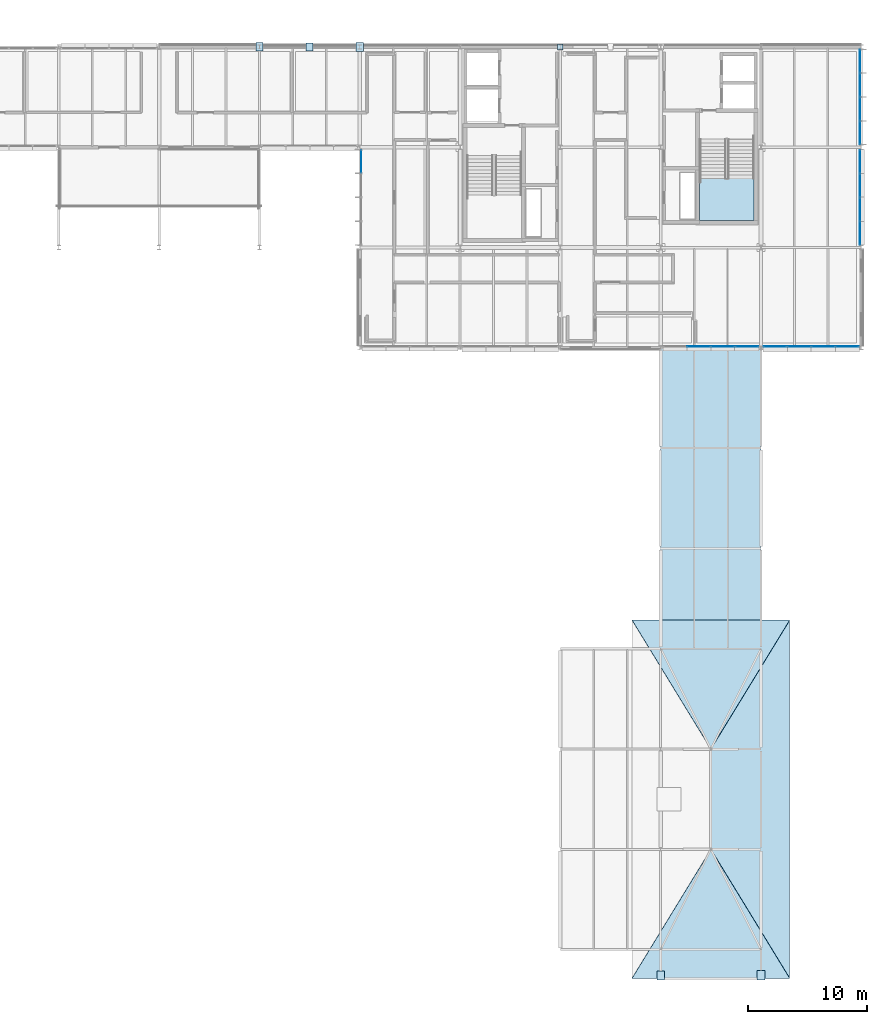
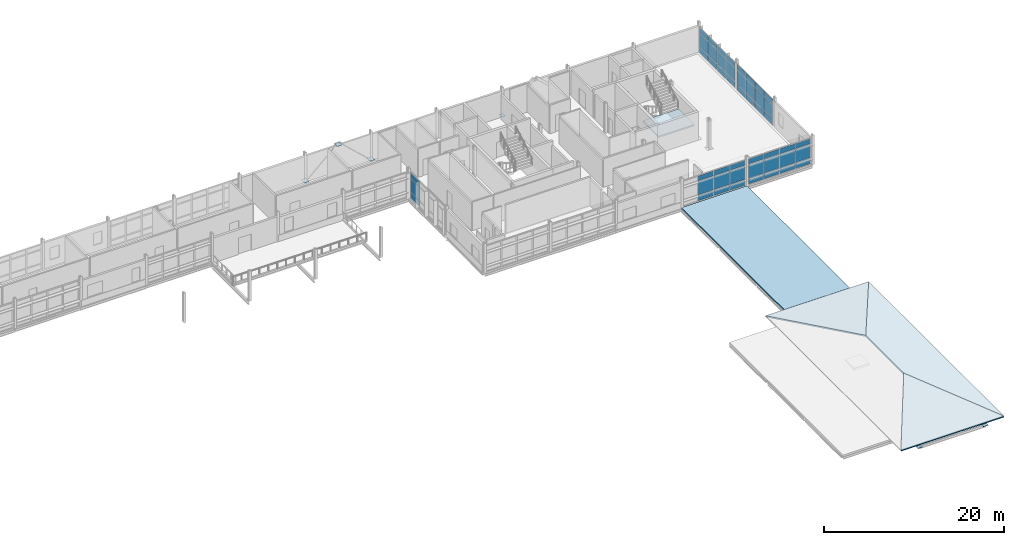
# One storey, part 44 of 57: 54 plates, 5 slabs, 7 elements without a shape of their own.
"""IFC4 building model written with IfcOpenShell, lengths in metres."""

from ifc_helpers import new_model, si_unit, direction, frame, origin, origin_2d, place, context, subcontext, project, spatial, polyline, rectangle, outline, extrude, material, layer, layer_set, type_object, element, aggregate, save


model = new_model("IFC4")

# Units and contexts
model_context = context("Model", 3, precision=1e-05, world=origin(), true_north=direction((0.0, 1.0)))
body_context = subcontext(model_context, "Body", "Model", "MODEL_VIEW")
ifc_project = project(units=[si_unit("LENGTHUNIT", "METRE"), si_unit("AREAUNIT", "SQUARE_METRE"), si_unit("VOLUMEUNIT", "CUBIC_METRE"), si_unit("PLANEANGLEUNIT", "RADIAN"), si_unit("MASSUNIT", "GRAM", prefix="KILO")], contexts=[model_context])

# Site, building, storey
site_placement = place(None, origin())
site = spatial("IfcSite", under=ifc_project, at=site_placement, CompositionType="ELEMENT")
building_placement = place(site_placement, origin())
building = spatial("IfcBuilding", under=site, at=building_placement, Name="Mersafa Astral City Hall", CompositionType="ELEMENT")
storey_placement = place(building_placement, frame((0.0, 0.0, 26.10009765625)))
storey = spatial("IfcBuildingStorey", under=building, at=storey_placement, Name="L06", CompositionType="ELEMENT", Elevation=26.10009765625)

# Curtain wall, plates
ifc_material_1 = material(Name="Anodised bronze aluminium framing", Category="aluminium")
curtain_wall_type_1 = type_object("IfcCurtainWallType", Name="ENV-CW-5", PredefinedType="USERDEFINED", material=ifc_material_1)
curtain_wall_1_placement = place(storey_placement, origin())
curtain_wall_1 = element("IfcCurtainWall", 1, at=curtain_wall_1_placement, inside=storey, type_object=curtain_wall_type_1, Name="L06 Unitised solar curtain wall 256", ObjectType="UNITISED CURTAIN WALL", PredefinedType="USERDEFINED")
ifc_material_2 = material(Name="Solar control low-e double glazing", Category="glass")
ifc_layer_1 = layer(ifc_material_2, 0.028076171875, Name="Solar control low-e double glazing")
ifc_layer_set_1 = layer_set([ifc_layer_1], Name="Solar control low-e double glazing — ENV-CW-PNL-GLZ-1")
plate_type_1 = type_object("IfcPlateType", Name="ENV-CW-PNL-GLZ-1", PredefinedType="CURTAIN_PANEL", material=ifc_layer_set_1)
plate_1_placement = place(storey_placement, frame((184.679931640625, 118.810302734375, 0.05810546875), z_axis=(0.0, 0.0, 1.0), x_axis=(0.0, 1.0, 0.0)))
plate_1 = element("IfcPlate", 2, at=plate_1_placement, type_object=plate_type_1, Name="CW-5 panel 1.1", PredefinedType="CURTAIN_PANEL", context=body_context, shape_type="SweptSolid", body=[
    extrude(rectangle(XDim=1.91650390625, YDim=0.028076171875, at=origin_2d()), origin(), (0.0, 0.0, 1.0), 0.761962890625),
])
plate_2_placement = place(storey_placement, frame((184.679931640625, 118.810302734375, 0.8798828125), z_axis=(0.0, 0.0, 1.0), x_axis=(0.0, 1.0, 0.0)))
plate_2 = element("IfcPlate", 3, at=plate_2_placement, type_object=plate_type_1, Name="CW-5 panel 1.2", PredefinedType="CURTAIN_PANEL", context=body_context, shape_type="SweptSolid", body=[
    extrude(rectangle(XDim=1.91650390625, YDim=0.028076171875, at=origin_2d()), origin(), (0.0, 0.0, 1.0), 1.840087890625),
])
plate_3_placement = place(storey_placement, frame((184.679931640625, 118.810302734375, 2.77978515625), z_axis=(0.0, 0.0, 1.0), x_axis=(0.0, 1.0, 0.0)))
plate_3 = element("IfcPlate", 4, at=plate_3_placement, type_object=plate_type_1, Name="CW-5 panel 1.3", PredefinedType="CURTAIN_PANEL", context=body_context, shape_type="SweptSolid", body=[
    extrude(rectangle(XDim=1.91650390625, YDim=0.028076171875, at=origin_2d()), origin(), (0.0, 0.0, 1.0), 0.672119140625),
])
plate_4_placement = place(storey_placement, frame((184.679931640625, 120.8017578125, 0.05810546875), z_axis=(0.0, 0.0, 1.0), x_axis=(0.0, 1.0, 0.0)))
plate_4 = element("IfcPlate", 5, at=plate_4_placement, type_object=plate_type_1, Name="CW-5 panel 2.1", PredefinedType="CURTAIN_PANEL", context=body_context, shape_type="SweptSolid", body=[
    extrude(rectangle(XDim=1.946533203125, YDim=0.028076171875, at=origin_2d()), origin(), (0.0, 0.0, 1.0), 0.761962890625),
])
plate_5_placement = place(storey_placement, frame((184.679931640625, 120.8017578125, 0.8798828125), z_axis=(0.0, 0.0, 1.0), x_axis=(0.0, 1.0, 0.0)))
plate_5 = element("IfcPlate", 6, at=plate_5_placement, type_object=plate_type_1, Name="CW-5 panel 2.2", PredefinedType="CURTAIN_PANEL", context=body_context, shape_type="SweptSolid", body=[
    extrude(rectangle(XDim=1.946533203125, YDim=0.028076171875, at=origin_2d()), origin(), (0.0, 0.0, 1.0), 1.840087890625),
])
plate_6_placement = place(storey_placement, frame((184.679931640625, 120.8017578125, 2.77978515625), z_axis=(0.0, 0.0, 1.0), x_axis=(0.0, 1.0, 0.0)))
plate_6 = element("IfcPlate", 7, at=plate_6_placement, type_object=plate_type_1, Name="CW-5 panel 2.3", PredefinedType="CURTAIN_PANEL", context=body_context, shape_type="SweptSolid", body=[
    extrude(rectangle(XDim=1.946533203125, YDim=0.028076171875, at=origin_2d()), origin(), (0.0, 0.0, 1.0), 0.672119140625),
])
plate_7_placement = place(storey_placement, frame((184.679931640625, 122.808349609375, 0.05810546875), z_axis=(0.0, 0.0, 1.0), x_axis=(0.0, 1.0, 0.0)))
plate_7 = element("IfcPlate", 8, at=plate_7_placement, type_object=plate_type_1, Name="CW-5 panel 3.1", PredefinedType="CURTAIN_PANEL", context=body_context, shape_type="SweptSolid", body=[
    extrude(rectangle(XDim=1.946533203125, YDim=0.028076171875, at=origin_2d()), origin(), (0.0, 0.0, 1.0), 0.761962890625),
])
plate_8_placement = place(storey_placement, frame((184.679931640625, 122.808349609375, 0.8798828125), z_axis=(0.0, 0.0, 1.0), x_axis=(0.0, 1.0, 0.0)))
plate_8 = element("IfcPlate", 9, at=plate_8_placement, type_object=plate_type_1, Name="CW-5 panel 3.2", PredefinedType="CURTAIN_PANEL", context=body_context, shape_type="SweptSolid", body=[
    extrude(rectangle(XDim=1.946533203125, YDim=0.028076171875, at=origin_2d()), origin(), (0.0, 0.0, 1.0), 1.840087890625),
])
plate_9_placement = place(storey_placement, frame((184.679931640625, 122.808349609375, 2.77978515625), z_axis=(0.0, 0.0, 1.0), x_axis=(0.0, 1.0, 0.0)))
plate_9 = element("IfcPlate", 10, at=plate_9_placement, type_object=plate_type_1, Name="CW-5 panel 3.3", PredefinedType="CURTAIN_PANEL", context=body_context, shape_type="SweptSolid", body=[
    extrude(rectangle(XDim=1.946533203125, YDim=0.028076171875, at=origin_2d()), origin(), (0.0, 0.0, 1.0), 0.672119140625),
])
plate_10_placement = place(storey_placement, frame((184.679931640625, 124.7998046875, 0.05810546875), z_axis=(0.0, 0.0, 1.0), x_axis=(0.0, 1.0, 0.0)))
plate_10 = element("IfcPlate", 11, at=plate_10_placement, type_object=plate_type_1, Name="CW-5 panel 4.1", PredefinedType="CURTAIN_PANEL", context=body_context, shape_type="SweptSolid", body=[
    extrude(rectangle(XDim=1.91650390625, YDim=0.028076171875, at=origin_2d()), origin(), (0.0, 0.0, 1.0), 0.761962890625),
])
plate_11_placement = place(storey_placement, frame((184.679931640625, 124.7998046875, 0.8798828125), z_axis=(0.0, 0.0, 1.0), x_axis=(0.0, 1.0, 0.0)))
plate_11 = element("IfcPlate", 12, at=plate_11_placement, type_object=plate_type_1, Name="CW-5 panel 4.2", PredefinedType="CURTAIN_PANEL", context=body_context, shape_type="SweptSolid", body=[
    extrude(rectangle(XDim=1.91650390625, YDim=0.028076171875, at=origin_2d()), origin(), (0.0, 0.0, 1.0), 1.840087890625),
])
plate_12_placement = place(storey_placement, frame((184.679931640625, 124.7998046875, 2.77978515625), z_axis=(0.0, 0.0, 1.0), x_axis=(0.0, 1.0, 0.0)))
plate_12 = element("IfcPlate", 13, at=plate_12_placement, type_object=plate_type_1, Name="CW-5 panel 4.3", PredefinedType="CURTAIN_PANEL", context=body_context, shape_type="SweptSolid", body=[
    extrude(rectangle(XDim=1.91650390625, YDim=0.028076171875, at=origin_2d()), origin(), (0.0, 0.0, 1.0), 0.672119140625),
])
aggregate(curtain_wall_1, [plate_1, plate_2, plate_3, plate_4, plate_5, plate_6, plate_7, plate_8, plate_9, plate_10, plate_11, plate_12])

curtain_wall_type_2 = type_object("IfcCurtainWallType", Name="ENV-CW-2", PredefinedType="USERDEFINED", material=ifc_material_1)
curtain_wall_2_placement = place(storey_placement, origin())
curtain_wall_2 = element("IfcCurtainWall", 14, at=curtain_wall_2_placement, inside=storey, type_object=curtain_wall_type_2, Name="L06 Unitised solar curtain wall 253", ObjectType="UNITISED CURTAIN WALL", PredefinedType="USERDEFINED")
ifc_layer_2 = layer(ifc_material_2, 0.031982421875, Name="Solar control low-e double glazing")
ifc_layer_set_2 = layer_set([ifc_layer_2], Name="Solar control low-e double glazing — ENV-CW-PNL-GLZ-2")
plate_type_2 = type_object("IfcPlateType", Name="ENV-CW-PNL-GLZ-2", PredefinedType="CURTAIN_PANEL", material=ifc_layer_set_2)
plate_13_placement = place(storey_placement, frame((171.1904296875, 100.919921875, 0.05810546875), z_axis=(0.0, 0.0, 1.0), x_axis=(1.0, 0.0, 0.0)))
plate_13 = element("IfcPlate", 15, at=plate_13_placement, type_object=plate_type_2, Name="CW-2 panel 2.1", PredefinedType="CURTAIN_PANEL", context=body_context, shape_type="SweptSolid", body=[
    extrude(rectangle(XDim=1.958984375, YDim=0.031982421875, at=origin_2d()), origin(), (0.0, 0.0, 1.0), 0.761962890625),
])
plate_14_placement = place(storey_placement, frame((171.1904296875, 100.919921875, 0.8798828125), z_axis=(0.0, 0.0, 1.0), x_axis=(1.0, 0.0, 0.0)))
plate_14 = element("IfcPlate", 16, at=plate_14_placement, type_object=plate_type_2, Name="CW-2 panel 2.2", PredefinedType="CURTAIN_PANEL", context=body_context, shape_type="SweptSolid", body=[
    extrude(rectangle(XDim=1.958984375, YDim=0.031982421875, at=origin_2d()), origin(), (0.0, 0.0, 1.0), 1.840087890625),
])
plate_15_placement = place(storey_placement, frame((171.1904296875, 100.919921875, 2.780029296875), z_axis=(0.0, 0.0, 1.0), x_axis=(1.0, 0.0, 0.0)))
plate_15 = element("IfcPlate", 17, at=plate_15_placement, type_object=plate_type_2, Name="CW-2 panel 2.3", PredefinedType="CURTAIN_PANEL", context=body_context, shape_type="SweptSolid", body=[
    extrude(rectangle(XDim=1.958984375, YDim=0.031982421875, at=origin_2d()), origin(), (0.0, 0.0, 1.0), 0.64697265625),
])
plate_16_placement = place(storey_placement, frame((173.20947265625, 100.919921875, 0.05810546875), z_axis=(0.0, 0.0, 1.0), x_axis=(1.0, 0.0, 0.0)))
plate_16 = element("IfcPlate", 18, at=plate_16_placement, type_object=plate_type_2, Name="CW-2 panel 3.1", PredefinedType="CURTAIN_PANEL", context=body_context, shape_type="SweptSolid", body=[
    extrude(rectangle(XDim=1.958984375, YDim=0.031982421875, at=origin_2d()), origin(), (0.0, 0.0, 1.0), 0.761962890625),
])
plate_17_placement = place(storey_placement, frame((173.20947265625, 100.919921875, 0.8798828125), z_axis=(0.0, 0.0, 1.0), x_axis=(1.0, 0.0, 0.0)))
plate_17 = element("IfcPlate", 19, at=plate_17_placement, type_object=plate_type_2, Name="CW-2 panel 3.2", PredefinedType="CURTAIN_PANEL", context=body_context, shape_type="SweptSolid", body=[
    extrude(rectangle(XDim=1.958984375, YDim=0.031982421875, at=origin_2d()), origin(), (0.0, 0.0, 1.0), 1.840087890625),
])
plate_18_placement = place(storey_placement, frame((173.20947265625, 100.919921875, 2.780029296875), z_axis=(0.0, 0.0, 1.0), x_axis=(1.0, 0.0, 0.0)))
plate_18 = element("IfcPlate", 20, at=plate_18_placement, type_object=plate_type_2, Name="CW-2 panel 3.3", PredefinedType="CURTAIN_PANEL", context=body_context, shape_type="SweptSolid", body=[
    extrude(rectangle(XDim=1.958984375, YDim=0.031982421875, at=origin_2d()), origin(), (0.0, 0.0, 1.0), 0.64697265625),
])
plate_19_placement = place(storey_placement, frame((175.21337890625, 100.919921875, 0.05810546875), z_axis=(0.0, 0.0, 1.0), x_axis=(1.0, 0.0, 0.0)))
plate_19 = element("IfcPlate", 21, at=plate_19_placement, type_object=plate_type_2, Name="CW-2 panel 4.1", PredefinedType="CURTAIN_PANEL", context=body_context, shape_type="SweptSolid", body=[
    extrude(rectangle(XDim=1.928955078125, YDim=0.031982421875, at=origin_2d()), origin(), (0.0, 0.0, 1.0), 0.761962890625),
])
plate_20_placement = place(storey_placement, frame((175.21337890625, 100.919921875, 0.8798828125), z_axis=(0.0, 0.0, 1.0), x_axis=(1.0, 0.0, 0.0)))
plate_20 = element("IfcPlate", 22, at=plate_20_placement, type_object=plate_type_2, Name="CW-2 panel 4.2", PredefinedType="CURTAIN_PANEL", context=body_context, shape_type="SweptSolid", body=[
    extrude(rectangle(XDim=1.928955078125, YDim=0.031982421875, at=origin_2d()), origin(), (0.0, 0.0, 1.0), 1.840087890625),
])
plate_21_placement = place(storey_placement, frame((175.21337890625, 100.919921875, 2.780029296875), z_axis=(0.0, 0.0, 1.0), x_axis=(1.0, 0.0, 0.0)))
plate_21 = element("IfcPlate", 23, at=plate_21_placement, type_object=plate_type_2, Name="CW-2 panel 4.3", PredefinedType="CURTAIN_PANEL", context=body_context, shape_type="SweptSolid", body=[
    extrude(rectangle(XDim=1.928955078125, YDim=0.031982421875, at=origin_2d()), origin(), (0.0, 0.0, 1.0), 0.64697265625),
])
aggregate(curtain_wall_2, [plate_13, plate_14, plate_15, plate_16, plate_17, plate_18, plate_19, plate_20, plate_21])

curtain_wall_3_placement = place(storey_placement, origin())
curtain_wall_3 = element("IfcCurtainWall", 24, at=curtain_wall_3_placement, inside=storey, type_object=curtain_wall_type_1, Name="L06 Unitised solar curtain wall 250", ObjectType="UNITISED CURTAIN WALL", PredefinedType="USERDEFINED")
ifc_layer_3 = layer(ifc_material_2, 0.035888671875, Name="Solar control low-e double glazing")
ifc_layer_set_3 = layer_set([ifc_layer_3], Name="Solar control low-e double glazing — ENV-CW-PNL-GLZ-3")
plate_type_3 = type_object("IfcPlateType", Name="ENV-CW-PNL-GLZ-3", PredefinedType="CURTAIN_PANEL", material=ifc_layer_set_3)
plate_22_placement = place(storey_placement, frame((142.919921875, 116.399658203125, 0.05810546875), z_axis=(0.0, 0.0, 1.0), x_axis=(0.0, -1.0, 0.0)))
plate_22 = element("IfcPlate", 25, at=plate_22_placement, type_object=plate_type_3, Name="CW-5 panel 1.1", PredefinedType="CURTAIN_PANEL", context=body_context, shape_type="SweptSolid", body=[
    extrude(rectangle(XDim=1.91650390625, YDim=0.035888671875, at=origin_2d()), origin(), (0.0, 0.0, 1.0), 0.761962890625),
])
plate_23_placement = place(storey_placement, frame((142.919921875, 116.399658203125, 0.8798828125), z_axis=(0.0, 0.0, 1.0), x_axis=(0.0, -1.0, 0.0)))
plate_23 = element("IfcPlate", 26, at=plate_23_placement, type_object=plate_type_3, Name="CW-5 panel 1.2", PredefinedType="CURTAIN_PANEL", context=body_context, shape_type="SweptSolid", body=[
    extrude(rectangle(XDim=1.91650390625, YDim=0.035888671875, at=origin_2d()), origin(), (0.0, 0.0, 1.0), 1.840087890625),
])
plate_24_placement = place(storey_placement, frame((142.919921875, 116.399658203125, 2.77978515625), z_axis=(0.0, 0.0, 1.0), x_axis=(0.0, -1.0, 0.0)))
plate_24 = element("IfcPlate", 27, at=plate_24_placement, type_object=plate_type_3, Name="CW-5 panel 1.3", PredefinedType="CURTAIN_PANEL", context=body_context, shape_type="SweptSolid", body=[
    extrude(rectangle(XDim=1.91650390625, YDim=0.035888671875, at=origin_2d()), origin(), (0.0, 0.0, 1.0), 0.681884765625),
])
aggregate(curtain_wall_3, [plate_22, plate_23, plate_24])

curtain_wall_type_3 = type_object("IfcCurtainWallType", Name="ENV-CW-3", PredefinedType="USERDEFINED", material=ifc_material_1)
curtain_wall_4_placement = place(storey_placement, origin())
curtain_wall_4 = element("IfcCurtainWall", 28, at=curtain_wall_4_placement, inside=storey, type_object=curtain_wall_type_3, Name="L06 Unitised solar curtain wall 254", ObjectType="UNITISED CURTAIN WALL", PredefinedType="USERDEFINED")
plate_25_placement = place(storey_placement, frame((177.58642578125, 100.919921875, 0.05810546875), z_axis=(0.0, 0.0, 1.0), x_axis=(1.0, 0.0, 0.0)))
plate_25 = element("IfcPlate", 29, at=plate_25_placement, type_object=plate_type_3, Name="CW-3 panel 1.1", PredefinedType="CURTAIN_PANEL", context=body_context, shape_type="SweptSolid", body=[
    extrude(rectangle(XDim=1.928955078125, YDim=0.035888671875, at=origin_2d()), origin(), (0.0, 0.0, 1.0), 0.761962890625),
])
plate_26_placement = place(storey_placement, frame((177.58642578125, 100.919921875, 0.8798828125), z_axis=(0.0, 0.0, 1.0), x_axis=(1.0, 0.0, 0.0)))
plate_26 = element("IfcPlate", 30, at=plate_26_placement, type_object=plate_type_3, Name="CW-3 panel 1.2", PredefinedType="CURTAIN_PANEL", context=body_context, shape_type="SweptSolid", body=[
    extrude(rectangle(XDim=1.928955078125, YDim=0.035888671875, at=origin_2d()), origin(), (0.0, 0.0, 1.0), 1.840087890625),
])
plate_27_placement = place(storey_placement, frame((177.58642578125, 100.919921875, 2.77978515625), z_axis=(0.0, 0.0, 1.0), x_axis=(1.0, 0.0, 0.0)))
plate_27 = element("IfcPlate", 31, at=plate_27_placement, type_object=plate_type_3, Name="CW-3 panel 1.3", PredefinedType="CURTAIN_PANEL", context=body_context, shape_type="SweptSolid", body=[
    extrude(rectangle(XDim=1.928955078125, YDim=0.035888671875, at=origin_2d()), origin(), (0.0, 0.0, 1.0), 0.677001953125),
])
plate_28_placement = place(storey_placement, frame((179.590576171875, 100.919921875, 0.05810546875), z_axis=(0.0, 0.0, 1.0), x_axis=(1.0, 0.0, 0.0)))
plate_28 = element("IfcPlate", 32, at=plate_28_placement, type_object=plate_type_3, Name="CW-3 panel 2.1", PredefinedType="CURTAIN_PANEL", context=body_context, shape_type="SweptSolid", body=[
    extrude(rectangle(XDim=1.958984375, YDim=0.035888671875, at=origin_2d()), origin(), (0.0, 0.0, 1.0), 0.761962890625),
])
plate_29_placement = place(storey_placement, frame((179.590576171875, 100.919921875, 0.8798828125), z_axis=(0.0, 0.0, 1.0), x_axis=(1.0, 0.0, 0.0)))
plate_29 = element("IfcPlate", 33, at=plate_29_placement, type_object=plate_type_3, Name="CW-3 panel 2.2", PredefinedType="CURTAIN_PANEL", context=body_context, shape_type="SweptSolid", body=[
    extrude(rectangle(XDim=1.958984375, YDim=0.035888671875, at=origin_2d()), origin(), (0.0, 0.0, 1.0), 1.840087890625),
])
plate_30_placement = place(storey_placement, frame((179.590576171875, 100.919921875, 2.77978515625), z_axis=(0.0, 0.0, 1.0), x_axis=(1.0, 0.0, 0.0)))
plate_30 = element("IfcPlate", 34, at=plate_30_placement, type_object=plate_type_3, Name="CW-3 panel 2.3", PredefinedType="CURTAIN_PANEL", context=body_context, shape_type="SweptSolid", body=[
    extrude(rectangle(XDim=1.958984375, YDim=0.035888671875, at=origin_2d()), origin(), (0.0, 0.0, 1.0), 0.677001953125),
])
plate_31_placement = place(storey_placement, frame((181.609619140625, 100.919921875, 0.05810546875), z_axis=(0.0, 0.0, 1.0), x_axis=(1.0, 0.0, 0.0)))
plate_31 = element("IfcPlate", 35, at=plate_31_placement, type_object=plate_type_3, Name="CW-3 panel 3.1", PredefinedType="CURTAIN_PANEL", context=body_context, shape_type="SweptSolid", body=[
    extrude(rectangle(XDim=1.958984375, YDim=0.035888671875, at=origin_2d()), origin(), (0.0, 0.0, 1.0), 0.761962890625),
])
plate_32_placement = place(storey_placement, frame((181.609619140625, 100.919921875, 0.8798828125), z_axis=(0.0, 0.0, 1.0), x_axis=(1.0, 0.0, 0.0)))
plate_32 = element("IfcPlate", 36, at=plate_32_placement, type_object=plate_type_3, Name="CW-3 panel 3.2", PredefinedType="CURTAIN_PANEL", context=body_context, shape_type="SweptSolid", body=[
    extrude(rectangle(XDim=1.958984375, YDim=0.035888671875, at=origin_2d()), origin(), (0.0, 0.0, 1.0), 1.840087890625),
])
plate_33_placement = place(storey_placement, frame((181.609619140625, 100.919921875, 2.77978515625), z_axis=(0.0, 0.0, 1.0), x_axis=(1.0, 0.0, 0.0)))
plate_33 = element("IfcPlate", 37, at=plate_33_placement, type_object=plate_type_3, Name="CW-3 panel 3.3", PredefinedType="CURTAIN_PANEL", context=body_context, shape_type="SweptSolid", body=[
    extrude(rectangle(XDim=1.958984375, YDim=0.035888671875, at=origin_2d()), origin(), (0.0, 0.0, 1.0), 0.677001953125),
])
plate_34_placement = place(storey_placement, frame((183.613525390625, 100.919921875, 0.05810546875), z_axis=(0.0, 0.0, 1.0), x_axis=(1.0, 0.0, 0.0)))
plate_34 = element("IfcPlate", 38, at=plate_34_placement, type_object=plate_type_3, Name="CW-3 panel 4.1", PredefinedType="CURTAIN_PANEL", context=body_context, shape_type="SweptSolid", body=[
    extrude(rectangle(XDim=1.928955078125, YDim=0.035888671875, at=origin_2d()), origin(), (0.0, 0.0, 1.0), 0.761962890625),
])
plate_35_placement = place(storey_placement, frame((183.613525390625, 100.919921875, 0.8798828125), z_axis=(0.0, 0.0, 1.0), x_axis=(1.0, 0.0, 0.0)))
plate_35 = element("IfcPlate", 39, at=plate_35_placement, type_object=plate_type_3, Name="CW-3 panel 4.2", PredefinedType="CURTAIN_PANEL", context=body_context, shape_type="SweptSolid", body=[
    extrude(rectangle(XDim=1.928955078125, YDim=0.035888671875, at=origin_2d()), origin(), (0.0, 0.0, 1.0), 1.840087890625),
])
plate_36_placement = place(storey_placement, frame((183.613525390625, 100.919921875, 2.77978515625), z_axis=(0.0, 0.0, 1.0), x_axis=(1.0, 0.0, 0.0)))
plate_36 = element("IfcPlate", 40, at=plate_36_placement, type_object=plate_type_3, Name="CW-3 panel 4.3", PredefinedType="CURTAIN_PANEL", context=body_context, shape_type="SweptSolid", body=[
    extrude(rectangle(XDim=1.928955078125, YDim=0.035888671875, at=origin_2d()), origin(), (0.0, 0.0, 1.0), 0.677001953125),
])
aggregate(curtain_wall_4, [plate_25, plate_26, plate_27, plate_28, plate_29, plate_30, plate_31, plate_32, plate_33, plate_34, plate_35, plate_36])

curtain_wall_type_4 = type_object("IfcCurtainWallType", Name="ENV-CW-4", PredefinedType="USERDEFINED", material=ifc_material_1)
curtain_wall_5_placement = place(storey_placement, origin())
curtain_wall_5 = element("IfcCurtainWall", 41, at=curtain_wall_5_placement, inside=storey, type_object=curtain_wall_type_4, Name="L06 Unitised solar curtain wall 255", ObjectType="UNITISED CURTAIN WALL", PredefinedType="USERDEFINED")
ifc_layer_4 = layer(ifc_material_2, 0.0400390625, Name="Solar control low-e double glazing")
ifc_layer_set_4 = layer_set([ifc_layer_4], Name="Solar control low-e double glazing — ENV-CW-PNL-GLZ-4")
plate_type_4 = type_object("IfcPlateType", Name="ENV-CW-PNL-GLZ-4", PredefinedType="CURTAIN_PANEL", material=ifc_layer_set_4)
plate_37_placement = place(storey_placement, frame((184.679931640625, 110.400146484375, 0.05810546875), z_axis=(0.0, 0.0, 1.0), x_axis=(0.0, 1.0, 0.0)))
plate_37 = element("IfcPlate", 42, at=plate_37_placement, type_object=plate_type_4, Name="CW-4 panel 1.1", PredefinedType="CURTAIN_PANEL", context=body_context, shape_type="SweptSolid", body=[
    extrude(rectangle(XDim=1.91650390625, YDim=0.0400390625, at=origin_2d()), origin(), (0.0, 0.0, 1.0), 0.761962890625),
])
plate_38_placement = place(storey_placement, frame((184.679931640625, 110.400146484375, 0.8798828125), z_axis=(0.0, 0.0, 1.0), x_axis=(0.0, 1.0, 0.0)))
plate_38 = element("IfcPlate", 43, at=plate_38_placement, type_object=plate_type_4, Name="CW-4 panel 1.2", PredefinedType="CURTAIN_PANEL", context=body_context, shape_type="SweptSolid", body=[
    extrude(rectangle(XDim=1.91650390625, YDim=0.0400390625, at=origin_2d()), origin(), (0.0, 0.0, 1.0), 1.840087890625),
])
plate_39_placement = place(storey_placement, frame((184.679931640625, 110.400146484375, 2.77978515625), z_axis=(0.0, 0.0, 1.0), x_axis=(0.0, 1.0, 0.0)))
plate_39 = element("IfcPlate", 44, at=plate_39_placement, type_object=plate_type_4, Name="CW-4 panel 1.3", PredefinedType="CURTAIN_PANEL", context=body_context, shape_type="SweptSolid", body=[
    extrude(rectangle(XDim=1.91650390625, YDim=0.0400390625, at=origin_2d()), origin(), (0.0, 0.0, 1.0), 0.761962890625),
])
plate_40_placement = place(storey_placement, frame((184.679931640625, 112.391845703125, 0.05810546875), z_axis=(0.0, 0.0, 1.0), x_axis=(0.0, 1.0, 0.0)))
plate_40 = element("IfcPlate", 45, at=plate_40_placement, type_object=plate_type_4, Name="CW-4 panel 2.1", PredefinedType="CURTAIN_PANEL", context=body_context, shape_type="SweptSolid", body=[
    extrude(rectangle(XDim=1.946533203125, YDim=0.0400390625, at=origin_2d()), origin(), (0.0, 0.0, 1.0), 0.761962890625),
])
plate_41_placement = place(storey_placement, frame((184.679931640625, 112.391845703125, 0.8798828125), z_axis=(0.0, 0.0, 1.0), x_axis=(0.0, 1.0, 0.0)))
plate_41 = element("IfcPlate", 46, at=plate_41_placement, type_object=plate_type_4, Name="CW-4 panel 2.2", PredefinedType="CURTAIN_PANEL", context=body_context, shape_type="SweptSolid", body=[
    extrude(rectangle(XDim=1.946533203125, YDim=0.0400390625, at=origin_2d()), origin(), (0.0, 0.0, 1.0), 1.840087890625),
])
plate_42_placement = place(storey_placement, frame((184.679931640625, 112.391845703125, 2.77978515625), z_axis=(0.0, 0.0, 1.0), x_axis=(0.0, 1.0, 0.0)))
plate_42 = element("IfcPlate", 47, at=plate_42_placement, type_object=plate_type_4, Name="CW-4 panel 2.3", PredefinedType="CURTAIN_PANEL", context=body_context, shape_type="SweptSolid", body=[
    extrude(rectangle(XDim=1.946533203125, YDim=0.0400390625, at=origin_2d()), origin(), (0.0, 0.0, 1.0), 0.761962890625),
])
plate_43_placement = place(storey_placement, frame((184.679931640625, 114.398193359375, 0.05810546875), z_axis=(0.0, 0.0, 1.0), x_axis=(0.0, 1.0, 0.0)))
plate_43 = element("IfcPlate", 48, at=plate_43_placement, type_object=plate_type_4, Name="CW-4 panel 3.1", PredefinedType="CURTAIN_PANEL", context=body_context, shape_type="SweptSolid", body=[
    extrude(rectangle(XDim=1.946533203125, YDim=0.0400390625, at=origin_2d()), origin(), (0.0, 0.0, 1.0), 0.761962890625),
])
plate_44_placement = place(storey_placement, frame((184.679931640625, 114.398193359375, 0.8798828125), z_axis=(0.0, 0.0, 1.0), x_axis=(0.0, 1.0, 0.0)))
plate_44 = element("IfcPlate", 49, at=plate_44_placement, type_object=plate_type_4, Name="CW-4 panel 3.2", PredefinedType="CURTAIN_PANEL", context=body_context, shape_type="SweptSolid", body=[
    extrude(rectangle(XDim=1.946533203125, YDim=0.0400390625, at=origin_2d()), origin(), (0.0, 0.0, 1.0), 1.840087890625),
])
plate_45_placement = place(storey_placement, frame((184.679931640625, 114.398193359375, 2.77978515625), z_axis=(0.0, 0.0, 1.0), x_axis=(0.0, 1.0, 0.0)))
plate_45 = element("IfcPlate", 50, at=plate_45_placement, type_object=plate_type_4, Name="CW-4 panel 3.3", PredefinedType="CURTAIN_PANEL", context=body_context, shape_type="SweptSolid", body=[
    extrude(rectangle(XDim=1.946533203125, YDim=0.0400390625, at=origin_2d()), origin(), (0.0, 0.0, 1.0), 0.761962890625),
])
plate_46_placement = place(storey_placement, frame((184.679931640625, 116.3896484375, 0.05810546875), z_axis=(0.0, 0.0, 1.0), x_axis=(0.0, 1.0, 0.0)))
plate_46 = element("IfcPlate", 51, at=plate_46_placement, type_object=plate_type_4, Name="CW-4 panel 4.1", PredefinedType="CURTAIN_PANEL", context=body_context, shape_type="SweptSolid", body=[
    extrude(rectangle(XDim=1.91650390625, YDim=0.0400390625, at=origin_2d()), origin(), (0.0, 0.0, 1.0), 0.761962890625),
])
plate_47_placement = place(storey_placement, frame((184.679931640625, 116.3896484375, 0.8798828125), z_axis=(0.0, 0.0, 1.0), x_axis=(0.0, 1.0, 0.0)))
plate_47 = element("IfcPlate", 52, at=plate_47_placement, type_object=plate_type_4, Name="CW-4 panel 4.2", PredefinedType="CURTAIN_PANEL", context=body_context, shape_type="SweptSolid", body=[
    extrude(rectangle(XDim=1.91650390625, YDim=0.0400390625, at=origin_2d()), origin(), (0.0, 0.0, 1.0), 1.840087890625),
])
plate_48_placement = place(storey_placement, frame((184.679931640625, 116.3896484375, 2.77978515625), z_axis=(0.0, 0.0, 1.0), x_axis=(0.0, 1.0, 0.0)))
plate_48 = element("IfcPlate", 53, at=plate_48_placement, type_object=plate_type_4, Name="CW-4 panel 4.3", PredefinedType="CURTAIN_PANEL", context=body_context, shape_type="SweptSolid", body=[
    extrude(rectangle(XDim=1.91650390625, YDim=0.0400390625, at=origin_2d()), origin(), (0.0, 0.0, 1.0), 0.761962890625),
])
aggregate(curtain_wall_5, [plate_37, plate_38, plate_39, plate_40, plate_41, plate_42, plate_43, plate_44, plate_45, plate_46, plate_47, plate_48])

# Stair, slab
ifc_material_3 = material(Name="Concrete C40/50", Category="concrete")
stair_type = type_object("IfcStairType", Name="STAIR", PredefinedType="HALF_TURN_STAIR", material=ifc_material_3)
stair_placement = place(storey_placement, origin())
stair = element("IfcStair", 54, at=stair_placement, inside=storey, type_object=stair_type, Name="L06 Protected Exit Stair ST2", PredefinedType="HALF_TURN_STAIR")
ifc_layer_5 = layer(ifc_material_3, 0.199951171875, Name="Concrete C40/50")
ifc_layer_set_5 = layer_set([ifc_layer_5], Name="Concrete C40/50 — STAIR-LANDING")
slab_type_1 = type_object("IfcSlabType", Name="STAIR-LANDING", PredefinedType="LANDING", material=ifc_layer_set_5)
slab_1_placement = place(storey_placement, frame((0.0, 0.0, 1.824951171875)))
slab_1 = element("IfcSlab", 55, at=slab_1_placement, type_object=slab_type_1, Name="ST2 landing 1", PredefinedType="LANDING", context=body_context, shape_type="SweptSolid", body=[
    extrude(outline(polyline([(171.260009765625, 114.9599609375), (171.260009765625, 111.449951171875), (175.820068359375, 111.449951171875), (175.820068359375, 114.9599609375), (171.260009765625, 114.9599609375)])), origin(), (0.0, 0.0, 1.0), 0.199951171875),
])
aggregate(stair, [slab_1])

# Plates
ifc_material_4 = material(Name="Steel S355", Category="steel")
ifc_layer_6 = layer(ifc_material_4, 0.02294921875, Name="Steel S355")
ifc_layer_set_6 = layer_set([ifc_layer_6], Name="Steel S355 — STR-PLT-NP-10")
plate_type_5 = type_object("IfcPlateType", Name="STR-PLT-NP-10", PredefinedType="SHEET", material=ifc_layer_set_6)
plate_49_placement = place(storey_placement, frame((138.60009765625, 126.0, 3.54345703125), z_axis=(0.0, 0.0, 1.0), x_axis=(1.0, 0.0, 0.0)))
element("IfcPlate", 56, at=plate_49_placement, inside=storey, type_object=plate_type_5, Name="L06 Structural steel brace gusset plate NP-10", PredefinedType="SHEET", context=body_context, shape_type="SweptSolid", body=[
    extrude(rectangle(XDim=0.5849609375, YDim=0.669921875, at=origin_2d()), origin(), (0.0, 0.0, 1.0), 0.02294921875),
])
ifc_layer_7 = layer(ifc_material_4, 0.02392578125, Name="Steel S355")
ifc_layer_set_7 = layer_set([ifc_layer_7], Name="Steel S355 — STR-PLT-NP-11")
plate_type_6 = type_object("IfcPlateType", Name="STR-PLT-NP-11", PredefinedType="SHEET", material=ifc_layer_set_7)
plate_50_placement = place(storey_placement, frame((134.39794921875, 126.0, 0.10791015625), z_axis=(0.0, 0.0, 1.0), x_axis=(1.0, 0.0, 0.0)))
element("IfcPlate", 57, at=plate_50_placement, inside=storey, type_object=plate_type_6, Name="L06 Structural steel brace gusset plate NP-11", PredefinedType="SHEET", context=body_context, shape_type="SweptSolid", body=[
    extrude(rectangle(XDim=0.610107421875, YDim=0.699951171875, at=origin_2d()), origin(), (0.0, 0.0, 1.0), 0.02392578125),
])
ifc_layer_8 = layer(ifc_material_4, 0.02490234375, Name="Steel S355")
ifc_layer_set_8 = layer_set([ifc_layer_8], Name="Steel S355 — STR-PLT-NP-12")
plate_type_7 = type_object("IfcPlateType", Name="STR-PLT-NP-12", PredefinedType="SHEET", material=ifc_layer_set_8)
plate_51_placement = place(storey_placement, frame((142.802001953125, 126.0, 0.107421875), z_axis=(0.0, 0.0, 1.0), x_axis=(1.0, 0.0, 0.0)))
element("IfcPlate", 58, at=plate_51_placement, inside=storey, type_object=plate_type_7, Name="L06 Structural steel brace gusset plate NP-12", PredefinedType="SHEET", context=body_context, shape_type="SweptSolid", body=[
    extrude(rectangle(XDim=0.635009765625, YDim=0.72998046875, at=origin_2d()), origin(), (0.0, 0.0, 1.0), 0.02490234375),
])
ifc_layer_9 = layer(ifc_material_4, 0.02099609375, Name="Steel S355")
ifc_layer_set_9 = layer_set([ifc_layer_9], Name="Steel S355 — STR-PLT-NP-28")
plate_type_8 = type_object("IfcPlateType", Name="STR-PLT-NP-28", PredefinedType="SHEET", material=ifc_layer_set_9)
plate_52_placement = place(storey_placement, frame((168.0, 48.25, -0.420654296875), z_axis=(0.0, 0.0, 1.0), x_axis=(1.0, 0.0, 0.0)))
element("IfcPlate", 59, at=plate_52_placement, inside=storey, type_object=plate_type_8, Name="L06 Structural steel eave strut node plate NP-28", PredefinedType="SHEET", context=body_context, shape_type="SweptSolid", body=[
    extrude(rectangle(XDim=0.610107421875, YDim=0.75, at=origin_2d()), origin(), (0.0, 0.0, 1.0), 0.02099609375),
])
ifc_layer_10 = layer(ifc_material_4, 0.02197265625, Name="Steel S355")
ifc_layer_set_10 = layer_set([ifc_layer_10], Name="Steel S355 — STR-PLT-NP-29")
plate_type_9 = type_object("IfcPlateType", Name="STR-PLT-NP-29", PredefinedType="SHEET", material=ifc_layer_set_10)
plate_53_placement = place(storey_placement, frame((176.39990234375, 48.25, -0.421142578125), z_axis=(0.0, 0.0, 1.0), x_axis=(1.0, 0.0, 0.0)))
element("IfcPlate", 60, at=plate_53_placement, inside=storey, type_object=plate_type_9, Name="L06 Structural steel eave strut node plate NP-29", PredefinedType="SHEET", context=body_context, shape_type="SweptSolid", body=[
    extrude(rectangle(XDim=0.635009765625, YDim=0.780029296875, at=origin_2d()), origin(), (0.0, 0.0, 1.0), 0.02197265625),
])
ifc_layer_11 = layer(ifc_material_4, 0.01806640625, Name="Steel S355")
ifc_layer_set_11 = layer_set([ifc_layer_11], Name="Steel S355 — STR-PLT-NP-5")
plate_type_10 = type_object("IfcPlateType", Name="STR-PLT-NP-5", PredefinedType="SHEET", material=ifc_layer_set_11)
plate_54_placement = place(storey_placement, frame((159.597900390625, 126.0, 0.11083984375), z_axis=(0.0, 0.0, 1.0), x_axis=(1.0, 0.0, 0.0)))
element("IfcPlate", 61, at=plate_54_placement, inside=storey, type_object=plate_type_10, Name="L06 Structural steel brace gusset plate NP-5", PredefinedType="SHEET", context=body_context, shape_type="SweptSolid", body=[
    extrude(rectangle(XDim=0.4599609375, YDim=0.52001953125, at=origin_2d()), origin(), (0.0, 0.0, 1.0), 0.01806640625),
])

# Slab
ifc_layer_12 = layer(ifc_material_3, 0.199951171875, Name="Concrete C40/50")
ifc_layer_set_12 = layer_set([ifc_layer_12], Name="Concrete C40/50 — STR-SLAB-ROOF-200")
slab_type_2 = type_object("IfcSlabType", Name="STR-SLAB-ROOF-200", PredefinedType="ROOF", material=ifc_layer_set_12)
slab_2_placement = place(storey_placement, frame((0.0, 0.0, -0.2001953125)))
element("IfcSlab", 62, at=slab_2_placement, inside=storey, type_object=slab_type_2, Name="L06 Flat structural wing roof slab 1", PredefinedType="ROOF", context=body_context, shape_type="SweptSolid", body=[
    extrude(outline(polyline([(168.0, 84.0), (168.0, 92.39990234375), (168.0, 100.7919921875), (176.39990234375, 100.7919921875), (176.39990234375, 92.39990234375), (176.39990234375, 84.0), (176.39990234375, 78.008056640625), (168.0, 78.008056640625), (168.0, 84.0)])), origin(), (0.0, 0.0, 1.0), 0.2001953125),
])

# Roof, slabs
ifc_material_5 = material(Name="Egyptian ceramic terracotta roof tile", Category="masonry")
roof_type = type_object("IfcRoofType", Name="ARCH-ROOF-HIP", PredefinedType="HIP_ROOF", material=ifc_material_5)
roof_placement = place(storey_placement, origin())
roof = element("IfcRoof", 63, at=roof_placement, inside=storey, type_object=roof_type, Name="L06 Warm terracotta hipped roof ROOF-T4B-V5", PredefinedType="HIP_ROOF")
ifc_layer_13 = layer(ifc_material_3, 0.159912109375, Name="Concrete C40/50")
ifc_layer_set_13 = layer_set([ifc_layer_13], Name="Concrete C40/50 — STR-SLAB-ROOF-HIP-160")
slab_type_3 = type_object("IfcSlabType", Name="STR-SLAB-ROOF-HIP-160", PredefinedType="ROOF", material=ifc_layer_set_13)
slab_3_placement = place(storey_placement, frame((165.60009765625, 48.0, 0.0), z_axis=(0.0, -0.145155933963, 0.989408790559), x_axis=(1.0, 0.0, 0.0)))
slab_3 = element("IfcSlab", 64, at=slab_3_placement, type_object=slab_type_3, Name="L06 Sloped hipped roof slab ROOF-T4B-V5 S", PredefinedType="ROOF", context=body_context, shape_type="SweptSolid", body=[
    extrude(outline(polyline([(0.0, 0.0), (13.199951171875, 0.0), (6.599853515625, 10.915658857269593), (0.0, 0.0)])), origin(), (0.0, 0.0, -1.0), 0.159912109375),
])
slab_4_placement = place(storey_placement, frame((178.800048828125, 78.0, 0.0), z_axis=(0.0, 0.145155933963, 0.989408790559), x_axis=(-1.0, 0.0, 0.0)))
slab_4 = element("IfcSlab", 65, at=slab_4_placement, type_object=slab_type_3, Name="L06 Sloped hipped roof slab ROOF-T4B-V5 N", PredefinedType="ROOF", context=body_context, shape_type="SweptSolid", body=[
    extrude(outline(polyline([(0.0, 0.0), (13.199951171875, 0.0), (6.60009765625, 10.915658857269593), (0.0, 0.0)])), origin(), (0.0, 0.0, -1.0), 0.159912109375),
])
slab_5_placement = place(storey_placement, frame((178.800048828125, 48.0, 0.0), z_axis=(0.233435529554, 0.0, 0.972372281352), x_axis=(0.0, 1.0, 0.0)))
slab_5 = element("IfcSlab", 66, at=slab_5_placement, type_object=slab_type_3, Name="L06 Sloped hipped roof slab ROOF-T4B-V5 E", PredefinedType="ROOF", context=body_context, shape_type="SweptSolid", body=[
    extrude(outline(polyline([(0.0, 0.0), (30.0, 0.0), (19.199951171875, 6.787624228729863), (10.800048828125, 6.787624228729863), (0.0, 0.0)])), origin(), (0.0, 0.0, -1.0), 0.159912109375),
])
aggregate(roof, [slab_3, slab_4, slab_5])

save(model, "model.ifc")
